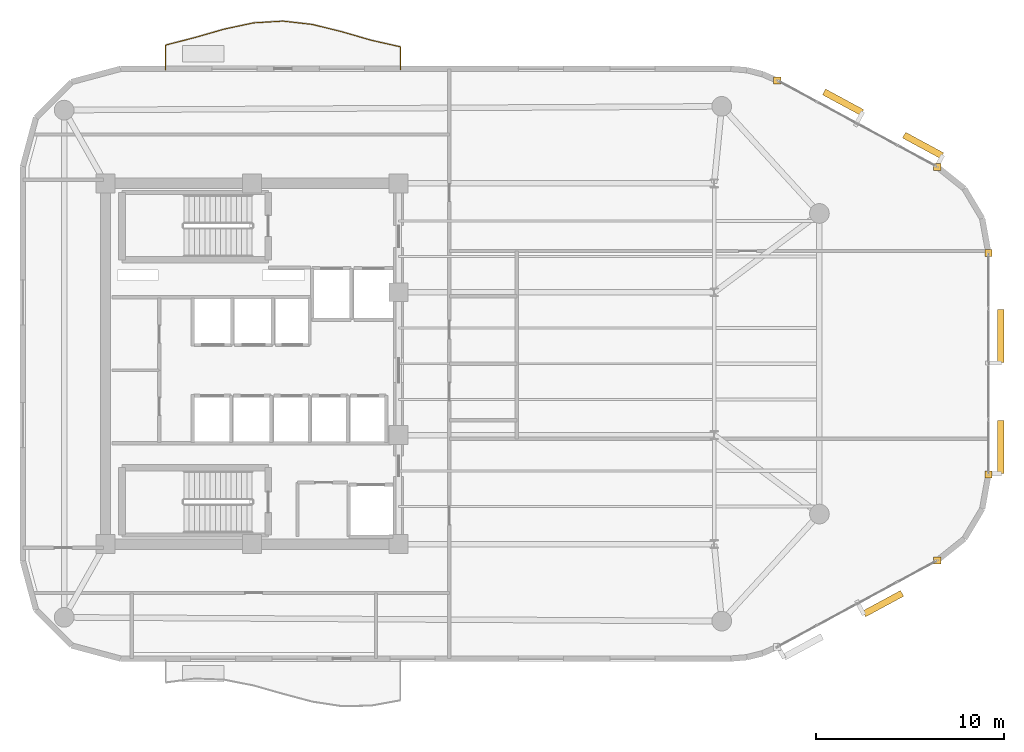
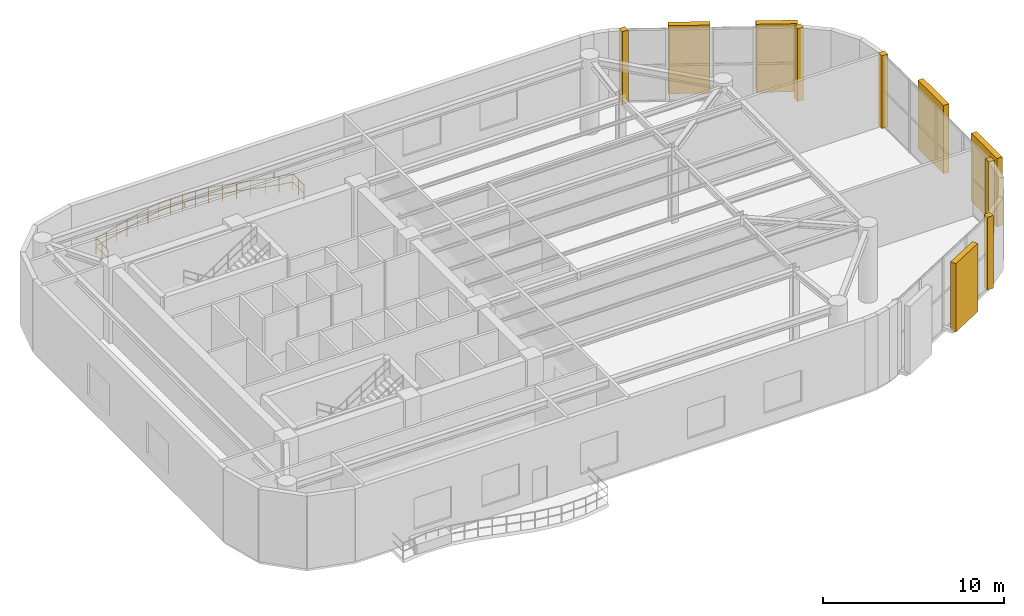
# One storey, part 11 of 11: 5 coverings, 5 shading devices, 1 railing.
"""IFC4 building model written with IfcOpenShell, lengths in metres."""

from ifc_helpers import new_model, si_unit, direction, frame, origin, origin_2d, place, context, subcontext, project, spatial, rectangle, circle, extrude, material, layer, layer_set, type_object, element, save


model = new_model("IFC4")

# Units and contexts
model_context = context("Model", 3, precision=1e-05, world=origin(), true_north=direction((0.0, 1.0)))
body_context = subcontext(model_context, "Body", "Model", "MODEL_VIEW")
ifc_project = project(units=[si_unit("LENGTHUNIT", "METRE"), si_unit("AREAUNIT", "SQUARE_METRE"), si_unit("VOLUMEUNIT", "CUBIC_METRE"), si_unit("PLANEANGLEUNIT", "RADIAN"), si_unit("MASSUNIT", "GRAM", prefix="KILO")], contexts=[model_context])

# Site, building, storey
site_placement = place(None, origin())
site = spatial("IfcSite", under=ifc_project, at=site_placement, CompositionType="ELEMENT")
building_placement = place(site_placement, origin())
building = spatial("IfcBuilding", under=site, at=building_placement, Name="An Khanh Terracotta Commons", CompositionType="ELEMENT")
storey_placement = place(building_placement, frame((0.0, 0.0, 196.199951171875)))
storey = spatial("IfcBuildingStorey", under=building, at=storey_placement, Name="L51", CompositionType="ELEMENT", Elevation=196.199951171875)

# Coverings
ifc_material_1 = material(Name="Fired Terracotta Rainscreen Cladding", Category="masonry")
ifc_layer = layer(ifc_material_1, 0.080078125, Name="Fired Terracotta Rainscreen Cladding")
ifc_layer_set = layer_set([ifc_layer], Name="Fired Terracotta Rainscreen Cladding")
covering_type = type_object("IfcCoveringType", Name="COV-JAMB-TERRA", PredefinedType="CLADDING", material=ifc_layer_set)
for number, where, z_axis, x_axis, name in (
    (1, (65.8720703125, 13.52587890625, 0.0), (0.0, 0.0, 1.0), (1.0, 0.0, 0.0), "L51 CW-04 Curtain-Wall Jamb Closure JB"),
    (2, (68.60009765625, 18.10107421875, 0.0), (0.0, 0.0, 1.0), (1.0, 0.0, 0.0), "L51 CW-04 Curtain-Wall Jamb Closure JA"),
    (3, (68.60009765625, 29.89892578125, 0.0), (0.0, 0.0, 1.0), (1.0, 0.0, 0.0), "L51 CW-04 Curtain-Wall Jamb Closure JB"),
    (4, (65.8720703125, 34.47412109375, 0.0), (0.0, 0.0, 1.0), (1.0, 0.0, 0.0), "L51 CW-04 Curtain-Wall Jamb Closure JA"),
    (5, (57.35693359375, 39.074951171875, 0.0), (0.0, 0.0, 1.0), (1.0, 0.0, 0.0), "L51 CW-04 Curtain-Wall Jamb Closure JB"),
):
    element("IfcCovering", number, at=place(storey_placement, frame(where, z_axis=z_axis, x_axis=x_axis)), inside=storey, type_object=covering_type, Name=name, PredefinedType="CLADDING", context=body_context, shape_type="SweptSolid", body=[
        extrude(rectangle(XDim=0.3798828125, YDim=0.3798828125, at=origin_2d()), origin(), (0.0, 0.0, 1.0), 4.89990234375),
    ])

# Railing
ifc_material_2 = material(Name="Brushed Stainless Steel 316", Category="steel")
railing_type = type_object("IfcRailingType", Name="RAIL-BALUSTRADE-1100", PredefinedType="BALUSTRADE", material=ifc_material_2)
railing_placement = place(storey_placement, frame((37.300048828125, 39.639892578125, 0.0)))
element("IfcRailing", 6, at=railing_placement, inside=storey, type_object=railing_type, Name="L51 N Wave Balcony Guard Balustrade", PredefinedType="BALUSTRADE", context=body_context, shape_type="SweptSolid", body=[
    extrude(circle(Radius=0.02392578125, at=origin_2d()), frame((0.0, 0.0, 1.076171875), z_axis=(0.0, 1.0, 0.0), x_axis=(-1.0, 0.0, 0.0)), (0.0, 0.0, 1.0), 1.22607421875),
    extrude(circle(Radius=0.02392578125, at=origin_2d()), frame((0.0, 0.0, 0.52587890625), z_axis=(0.0, 1.0, 0.0), x_axis=(-1.0, 0.0, 0.0)), (0.0, 0.0, 1.0), 1.22607421875),
    extrude(circle(Radius=0.02392578125, at=origin_2d()), frame((0.0, 1.22607421875, 1.076171875), z_axis=(-0.975297200587, 0.220896741776, 0.0), x_axis=(-0.220896741776, -0.975297200587, 0.0)), (0.0, 0.0, 1.0), 1.6025390625),
    extrude(circle(Radius=0.02392578125, at=origin_2d()), frame((0.0, 1.22607421875, 0.52587890625), z_axis=(-0.975297200587, 0.220896741776, 0.0), x_axis=(-0.220896741776, -0.975297200587, 0.0)), (0.0, 0.0, 1.0), 1.6025390625),
    extrude(circle(Radius=0.02392578125, at=origin_2d()), frame((-1.56298828125, 1.580078125, 1.076171875), z_axis=(-0.960566374917, 0.278050785612, 0.0), x_axis=(-0.278050785612, -0.960566374917, 0.0)), (0.0, 0.0, 1.0), 1.626220703125),
    extrude(circle(Radius=0.02392578125, at=origin_2d()), frame((-1.56298828125, 1.580078125, 0.52587890625), z_axis=(-0.960566374917, 0.278050785612, 0.0), x_axis=(-0.278050785612, -0.960566374917, 0.0)), (0.0, 0.0, 1.0), 1.626220703125),
    extrude(circle(Radius=0.02392578125, at=origin_2d()), frame((-3.125, 2.0322265625, 1.076171875), z_axis=(-0.9708342931, 0.239751486628, 0.0), x_axis=(-0.239751486628, -0.9708342931, 0.0)), (0.0, 0.0, 1.0), 1.60986328125),
    extrude(circle(Radius=0.02392578125, at=origin_2d()), frame((-3.125, 2.0322265625, 0.52587890625), z_axis=(-0.9708342931, 0.239751486628, 0.0), x_axis=(-0.239751486628, -0.9708342931, 0.0)), (0.0, 0.0, 1.0), 1.60986328125),
    extrude(circle(Radius=0.02392578125, at=origin_2d()), frame((-4.68798828125, 2.418212890625, 1.076171875), z_axis=(-0.993571157369, 0.113209342564, 0.0), x_axis=(-0.113209342564, -0.993571157369, 0.0)), (0.0, 0.0, 1.0), 1.572021484375),
    extrude(circle(Radius=0.02392578125, at=origin_2d()), frame((-4.68798828125, 2.418212890625, 0.52587890625), z_axis=(-0.993571157369, 0.113209342564, 0.0), x_axis=(-0.113209342564, -0.993571157369, 0.0)), (0.0, 0.0, 1.0), 1.572021484375),
    extrude(circle(Radius=0.02392578125, at=origin_2d()), frame((-6.25, 2.59619140625, 1.076171875), z_axis=(-0.998231609022, -0.059444551897, 0.0), x_axis=(0.059444551897, -0.998231609022, 0.0)), (0.0, 0.0, 1.0), 1.564697265625),
    extrude(circle(Radius=0.02392578125, at=origin_2d()), frame((-6.25, 2.59619140625, 0.52587890625), z_axis=(-0.998231609022, -0.059444551897, 0.0), x_axis=(0.059444551897, -0.998231609022, 0.0)), (0.0, 0.0, 1.0), 1.564697265625),
    extrude(circle(Radius=0.02392578125, at=origin_2d()), frame((-7.81201171875, 2.503173828125, 1.076171875), z_axis=(-0.97817205175, -0.207796624552, 0.0), x_axis=(0.207796624552, -0.97817205175, 0.0)), (0.0, 0.0, 1.0), 1.597900390625),
    extrude(circle(Radius=0.02392578125, at=origin_2d()), frame((-7.81201171875, 2.503173828125, 0.52587890625), z_axis=(-0.97817205175, -0.207796624552, 0.0), x_axis=(0.207796624552, -0.97817205175, 0.0)), (0.0, 0.0, 1.0), 1.597900390625),
    extrude(circle(Radius=0.02392578125, at=origin_2d()), frame((-9.375, 2.171142578125, 1.076171875), z_axis=(-0.961086255424, -0.27624845635, 0.0), x_axis=(0.27624845635, -0.961086255424, 0.0)), (0.0, 0.0, 1.0), 1.625244140625),
    extrude(circle(Radius=0.02392578125, at=origin_2d()), frame((-9.375, 2.171142578125, 0.52587890625), z_axis=(-0.961086255424, -0.27624845635, 0.0), x_axis=(0.27624845635, -0.961086255424, 0.0)), (0.0, 0.0, 1.0), 1.625244140625),
    extrude(circle(Radius=0.02392578125, at=origin_2d()), frame((-10.93701171875, 1.72216796875, 1.076171875), z_axis=(-0.968464779467, -0.24915049856, 0.0), x_axis=(0.24915049856, -0.968464779467, 0.0)), (0.0, 0.0, 1.0), 1.61376953125),
    extrude(circle(Radius=0.02392578125, at=origin_2d()), frame((-10.93701171875, 1.72216796875, 0.52587890625), z_axis=(-0.968464779467, -0.24915049856, 0.0), x_axis=(0.24915049856, -0.968464779467, 0.0)), (0.0, 0.0, 1.0), 1.61376953125),
    extrude(circle(Radius=0.02392578125, at=origin_2d()), frame((-12.5, 1.320068359375, 1.076171875), z_axis=(0.0, -1.0, 0.0), x_axis=(1.0, 0.0, 0.0)), (0.0, 0.0, 1.0), 1.320068359375),
    extrude(circle(Radius=0.02392578125, at=origin_2d()), frame((-12.5, 1.320068359375, 0.52587890625), z_axis=(0.0, -1.0, 0.0), x_axis=(1.0, 0.0, 0.0)), (0.0, 0.0, 1.0), 1.320068359375),
    extrude(circle(Radius=0.02099609375, at=origin_2d()), origin(), (0.0, 0.0, 1.0), 1.052001953125),
    extrude(circle(Radius=0.02099609375, at=origin_2d()), frame((0.0, 0.613037109375, 0.0)), (0.0, 0.0, 1.0), 1.052001953125),
    extrude(circle(Radius=0.02099609375, at=origin_2d()), frame((0.0, 1.22607421875, 0.0)), (0.0, 0.0, 1.0), 1.052001953125),
    extrude(circle(Radius=0.02099609375, at=origin_2d()), frame((-0.781494140625, 1.403076171875, 0.0)), (0.0, 0.0, 1.0), 1.052001953125),
    extrude(circle(Radius=0.02099609375, at=origin_2d()), frame((-1.56298828125, 1.580078125, 0.0)), (0.0, 0.0, 1.0), 1.052001953125),
    extrude(circle(Radius=0.02099609375, at=origin_2d()), frame((-2.343994140625, 1.80615234375, 0.0)), (0.0, 0.0, 1.0), 1.052001953125),
    extrude(circle(Radius=0.02099609375, at=origin_2d()), frame((-3.125, 2.0322265625, 0.0)), (0.0, 0.0, 1.0), 1.052001953125),
    extrude(circle(Radius=0.02099609375, at=origin_2d()), frame((-3.906494140625, 2.22509765625, 0.0)), (0.0, 0.0, 1.0), 1.052001953125),
    extrude(circle(Radius=0.02099609375, at=origin_2d()), frame((-4.68798828125, 2.418212890625, 0.0)), (0.0, 0.0, 1.0), 1.052001953125),
    extrude(circle(Radius=0.02099609375, at=origin_2d()), frame((-5.468994140625, 2.50732421875, 0.0)), (0.0, 0.0, 1.0), 1.052001953125),
    extrude(circle(Radius=0.02099609375, at=origin_2d()), frame((-6.25, 2.59619140625, 0.0)), (0.0, 0.0, 1.0), 1.052001953125),
    extrude(circle(Radius=0.02099609375, at=origin_2d()), frame((-7.031005859375, 2.5498046875, 0.0)), (0.0, 0.0, 1.0), 1.052001953125),
    extrude(circle(Radius=0.02099609375, at=origin_2d()), frame((-7.81201171875, 2.503173828125, 0.0)), (0.0, 0.0, 1.0), 1.052001953125),
    extrude(circle(Radius=0.02099609375, at=origin_2d()), frame((-8.593505859375, 2.337158203125, 0.0)), (0.0, 0.0, 1.0), 1.052001953125),
    extrude(circle(Radius=0.02099609375, at=origin_2d()), frame((-9.375, 2.171142578125, 0.0)), (0.0, 0.0, 1.0), 1.052001953125),
    extrude(circle(Radius=0.02099609375, at=origin_2d()), frame((-10.156005859375, 1.94677734375, 0.0)), (0.0, 0.0, 1.0), 1.052001953125),
    extrude(circle(Radius=0.02099609375, at=origin_2d()), frame((-10.93701171875, 1.72216796875, 0.0)), (0.0, 0.0, 1.0), 1.052001953125),
    extrude(circle(Radius=0.02099609375, at=origin_2d()), frame((-11.718505859375, 1.52099609375, 0.0)), (0.0, 0.0, 1.0), 1.052001953125),
    extrude(circle(Radius=0.02099609375, at=origin_2d()), frame((-12.5, 1.320068359375, 0.0)), (0.0, 0.0, 1.0), 1.052001953125),
    extrude(circle(Radius=0.02099609375, at=origin_2d()), frame((-12.5, 0.66015625, 0.0)), (0.0, 0.0, 1.0), 1.052001953125),
    extrude(circle(Radius=0.02099609375, at=origin_2d()), frame((-12.5, 0.0, 0.0)), (0.0, 0.0, 1.0), 1.052001953125),
])

# Shading devices
ifc_material_3 = material(Name="Extruded Fired Terracotta", Category="masonry")
shading_device_type = type_object("IfcShadingDeviceType", Name="Terracotta Baguette Screen Assembly", PredefinedType="USERDEFINED", material=ifc_material_3)
shading_device_placement = place(storey_placement, frame((62.988037109375, 11.22900390625, 0.14990234375), z_axis=(0.0, 0.0, 1.0), x_axis=(0.879780095306, 0.47538088298, 0.0)))
element("IfcShadingDevice", 7, at=shading_device_placement, inside=storey, type_object=shading_device_type, Name="L51 Terracotta Baguette Screen 3", ObjectType="BAGUETTE", PredefinedType="USERDEFINED", context=body_context, shape_type="SweptSolid", body=[
    extrude(rectangle(XDim=2.300048828125, YDim=0.35009765625, at=origin_2d()), origin(), (0.0, 0.0, 1.0), 4.60009765625),
])
for number, where, z_axis, x_axis, name in (
    (8, (69.25, 19.575927734375, 0.14990234375), (0.0, 0.0, 1.0), (0.0, 1.0, 0.0), "L51 Terracotta Baguette Screen 1"),
    (9, (69.25, 25.47509765625, 0.14990234375), (0.0, 0.0, 1.0), (0.0, 1.0, 0.0), "L51 Terracotta Baguette Screen 3"),
):
    element("IfcShadingDevice", number, at=place(storey_placement, frame(where, z_axis=z_axis, x_axis=x_axis)), inside=storey, type_object=shading_device_type, Name=name, ObjectType="BAGUETTE", PredefinedType="USERDEFINED", context=body_context, shape_type="SweptSolid", body=[
        extrude(rectangle(XDim=2.830078125, YDim=0.35009765625, at=origin_2d()), origin(), (0.0, 0.0, 1.0), 4.60009765625),
    ])
for number, where, z_axis, x_axis, name in (
    (10, (65.116943359375, 35.62109375, 0.14990234375), (0.0, 0.0, 1.0), (-0.879780095306, 0.47538088298, 0.0), "L51 Terracotta Baguette Screen 1"),
    (11, (60.85888671875, 37.9208984375, 0.14990234375), (0.0, 0.0, 1.0), (-0.879780095306, 0.47538088298, 0.0), "L51 Terracotta Baguette Screen 3"),
):
    element("IfcShadingDevice", number, at=place(storey_placement, frame(where, z_axis=z_axis, x_axis=x_axis)), inside=storey, type_object=shading_device_type, Name=name, ObjectType="BAGUETTE", PredefinedType="USERDEFINED", context=body_context, shape_type="SweptSolid", body=[
        extrude(rectangle(XDim=2.300048828125, YDim=0.35009765625, at=origin_2d()), origin(), (0.0, 0.0, 1.0), 4.60009765625),
    ])

save(model, "model.ifc")
